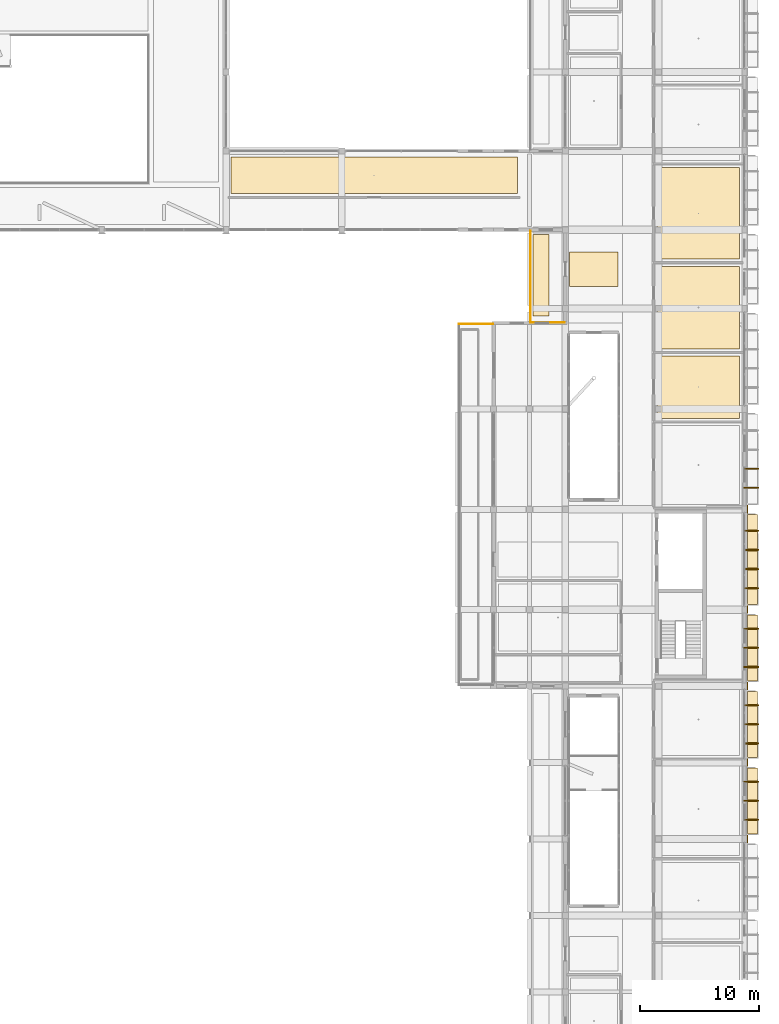
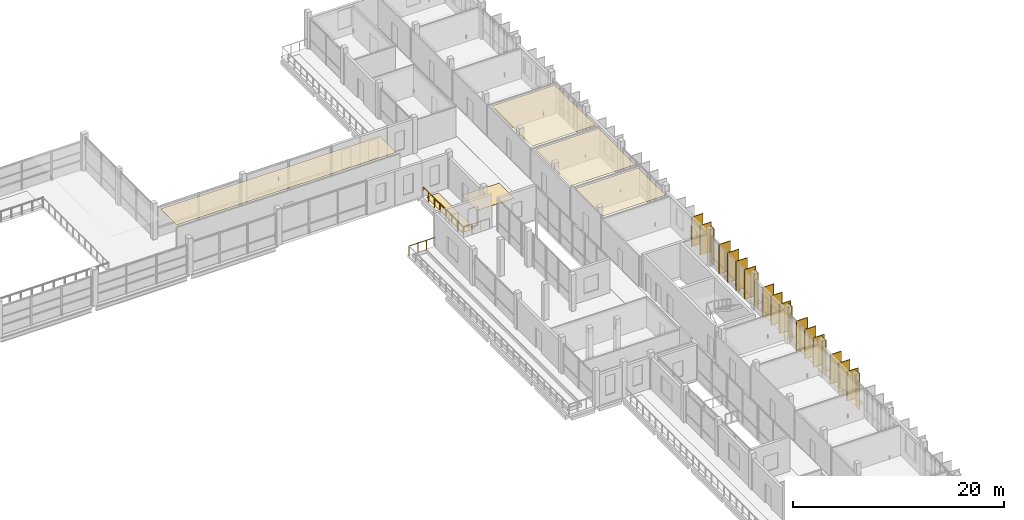
# One storey, part 84 of 85: 30 coverings, 15 shading devices, 3 railings.
"""IFC4 building model written with IfcOpenShell, lengths in metres."""

from ifc_helpers import new_model, si_unit, derived_unit, direction, frame, origin, origin_2d, place, context, subcontext, project, spatial, polyline, rectangle, circle, outline, extrude, material, layer, layer_set, type_object, element, save


model = new_model("IFC4")

# Units and contexts
model_context = context("Model", 3, precision=1e-05, world=origin(), true_north=direction((0.0, 1.0)))
body_context = subcontext(model_context, "Body", "Model", "MODEL_VIEW")
ifc_project = project(units=[si_unit("LENGTHUNIT", "METRE"), si_unit("AREAUNIT", "SQUARE_METRE"), si_unit("VOLUMEUNIT", "CUBIC_METRE"), si_unit("PLANEANGLEUNIT", "RADIAN"), si_unit("MASSUNIT", "GRAM", prefix="KILO"), derived_unit("THERMALTRANSMITTANCEUNIT", [(si_unit("POWERUNIT", "WATT"), 1), (si_unit("LENGTHUNIT", "METRE"), -2), (si_unit("THERMODYNAMICTEMPERATUREUNIT", "KELVIN"), -1)])], contexts=[model_context])

# Site, building, storey
site_placement = place(None, origin())
site = spatial("IfcSite", under=ifc_project, at=site_placement, CompositionType="ELEMENT")
building_placement = place(site_placement, origin())
building = spatial("IfcBuilding", under=site, at=building_placement, Name="Braskholm Square Health Centre", CompositionType="ELEMENT")
storey_placement = place(building_placement, frame((0.0, 0.0, 9.300048828125)))
storey = spatial("IfcBuildingStorey", under=building, at=storey_placement, Name="L03", CompositionType="ELEMENT", Elevation=9.300048828125)

# Coverings
ifc_material_1 = material(Name="Fire-rated gypsum board barrier")
ifc_layer_1 = layer(ifc_material_1, 0.02490234375)
ifc_layer_set_1 = layer_set([ifc_layer_1], Name="Fire-rated gypsum board barrier")
covering_type_1 = type_object("IfcCoveringType", Name="AcousticClinicalCeilingTile", PredefinedType="CEILING", material=ifc_layer_set_1)
covering_1_placement = place(storey_placement, frame((0.0, 0.0, 3.46484375)))
element("IfcCovering", 1, at=covering_1_placement, inside=storey, type_object=covering_type_1, Name="Acoustic ceiling L03-223", PredefinedType="CEILING", context=body_context, shape_type="SweptSolid", body=[
    extrude(outline(polyline([(156.5, 71.419921875), (163.3798828125, 71.419921875), (163.3798828125, 76.639892578125), (156.5, 76.639892578125), (156.5, 71.419921875)])), origin(), (0.0, 0.0, 1.0), 0.025146484375),
])
covering_2_placement = place(storey_placement, frame((0.0, 0.0, 3.46484375)))
element("IfcCovering", 2, at=covering_2_placement, inside=storey, type_object=covering_type_1, Name="Acoustic ceiling L03-224", PredefinedType="CEILING", context=body_context, shape_type="SweptSolid", body=[
    extrude(outline(polyline([(156.5, 77.239990234375), (163.3798828125, 77.239990234375), (163.3798828125, 84.139892578125), (156.5, 84.139892578125), (156.5, 77.239990234375)])), origin(), (0.0, 0.0, 1.0), 0.025146484375),
])
covering_3_placement = place(storey_placement, frame((0.0, 0.0, 3.46484375)))
element("IfcCovering", 3, at=covering_3_placement, inside=storey, type_object=covering_type_1, Name="Acoustic ceiling L03-225", PredefinedType="CEILING", context=body_context, shape_type="SweptSolid", body=[
    extrude(outline(polyline([(156.5, 84.739990234375), (163.3798828125, 84.739990234375), (163.3798828125, 92.409912109375), (156.5, 92.409912109375), (156.5, 84.739990234375)])), origin(), (0.0, 0.0, 1.0), 0.025146484375),
])
covering_4_placement = place(storey_placement, frame((0.0, 0.0, 3.534912109375)))
element("IfcCovering", 4, at=covering_4_placement, inside=storey, type_object=covering_type_1, Name="Acoustic ceiling L03-230", PredefinedType="CEILING", context=body_context, shape_type="SweptSolid", body=[
    extrude(outline(polyline([(120.820068359375, 90.219970703125), (144.780029296875, 90.219970703125), (144.780029296875, 93.280029296875), (120.820068359375, 93.280029296875), (120.820068359375, 90.219970703125)])), origin(), (0.0, 0.0, 1.0), 0.025146484375),
])

# Railings
ifc_material_2 = material(Name="Dark patinated chevron architectural bronze", Category="aluminium")
railing_type = type_object("IfcRailingType", Name="BronzeChevronGuardrail1100", PredefinedType="GUARDRAIL", material=ifc_material_2)
railing_1_placement = place(storey_placement, frame((139.89990234375, 79.300048828125, 0.0)))
element("IfcRailing", 5, at=railing_1_placement, inside=storey, type_object=railing_type, Name="Bronze chevron guardrail 0036 L03", PredefinedType="GUARDRAIL", context=body_context, shape_type="SweptSolid", body=[
    extrude(circle(Radius=0.02392578125, at=origin_2d()), frame((0.0, 0.0, 1.076171875), z_axis=(1.0, 0.0, 0.0), x_axis=(0.0, 1.0, 0.0)), (0.0, 0.0, 1.0), 2.85009765625),
    extrude(circle(Radius=0.02099609375, at=origin_2d()), origin(), (0.0, 0.0, 1.0), 1.052001953125),
    extrude(circle(Radius=0.02099609375, at=origin_2d()), frame((0.949951171875, 0.0, 0.0)), (0.0, 0.0, 1.0), 1.052001953125),
    extrude(circle(Radius=0.02099609375, at=origin_2d()), frame((1.900146484375, 0.0, 0.0)), (0.0, 0.0, 1.0), 1.052001953125),
    extrude(circle(Radius=0.02099609375, at=origin_2d()), frame((2.85009765625, 0.0, 0.0)), (0.0, 0.0, 1.0), 1.052001953125),
])
railing_2_placement = place(storey_placement, frame((148.75, 79.449951171875, 0.0)))
element("IfcRailing", 6, at=railing_2_placement, inside=storey, type_object=railing_type, Name="Bronze chevron guardrail 0037 L03", PredefinedType="GUARDRAIL", context=body_context, shape_type="SweptSolid", body=[
    extrude(circle(Radius=0.02392578125, at=origin_2d()), frame((0.0, 0.0, 1.076171875), z_axis=(-1.0, 0.0, 0.0), x_axis=(0.0, -1.0, 0.0)), (0.0, 0.0, 1.0), 2.85009765625),
    extrude(circle(Radius=0.02099609375, at=origin_2d()), origin(), (0.0, 0.0, 1.0), 1.052001953125),
    extrude(circle(Radius=0.02099609375, at=origin_2d()), frame((-0.949951171875, 0.0, 0.0)), (0.0, 0.0, 1.0), 1.052001953125),
    extrude(circle(Radius=0.02099609375, at=origin_2d()), frame((-1.900146484375, 0.0, 0.0)), (0.0, 0.0, 1.0), 1.052001953125),
    extrude(circle(Radius=0.02099609375, at=origin_2d()), frame((-2.85009765625, 0.0, 0.0)), (0.0, 0.0, 1.0), 1.052001953125),
])
railing_3_placement = place(storey_placement, frame((145.89990234375, 79.449951171875, 0.0)))
element("IfcRailing", 7, at=railing_3_placement, inside=storey, type_object=railing_type, Name="Bronze chevron guardrail 0038 L03", PredefinedType="GUARDRAIL", context=body_context, shape_type="SweptSolid", body=[
    extrude(circle(Radius=0.02392578125, at=origin_2d()), frame((0.0, 0.0, 1.076171875), z_axis=(0.0, 1.0, 0.0), x_axis=(-1.0, 0.0, 0.0)), (0.0, 0.0, 1.0), 7.650146484375),
    extrude(circle(Radius=0.02099609375, at=origin_2d()), origin(), (0.0, 0.0, 1.0), 1.052001953125),
    extrude(circle(Radius=0.02099609375, at=origin_2d()), frame((0.0, 1.0927734375, 0.0)), (0.0, 0.0, 1.0), 1.052001953125),
    extrude(circle(Radius=0.02099609375, at=origin_2d()), frame((0.0, 2.185791015625, 0.0)), (0.0, 0.0, 1.0), 1.052001953125),
    extrude(circle(Radius=0.02099609375, at=origin_2d()), frame((0.0, 3.278564453125, 0.0)), (0.0, 0.0, 1.0), 1.052001953125),
    extrude(circle(Radius=0.02099609375, at=origin_2d()), frame((0.0, 4.37158203125, 0.0)), (0.0, 0.0, 1.0), 1.052001953125),
    extrude(circle(Radius=0.02099609375, at=origin_2d()), frame((0.0, 5.46435546875, 0.0)), (0.0, 0.0, 1.0), 1.052001953125),
    extrude(circle(Radius=0.02099609375, at=origin_2d()), frame((0.0, 6.557373046875, 0.0)), (0.0, 0.0, 1.0), 1.052001953125),
    extrude(circle(Radius=0.02099609375, at=origin_2d()), frame((0.0, 7.650146484375, 0.0)), (0.0, 0.0, 1.0), 1.052001953125),
])

# Shading devices
ifc_material_3 = material(Name="Thermally modified western red cedar with bronze trim", Category="wood")
shading_device_type = type_object("IfcShadingDeviceType", Name="CedarBronzeShadingFin1250", PredefinedType="USERDEFINED", material=ifc_material_3)
for number, where, z_axis, x_axis, name in (
    (8, (164.364990234375, 37.800048828125, 0.0), (0.0, 0.0, 1.0), (1.0, 0.0, 0.0), "Warm cedar-bronze vertical shading slat 0271"),
    (9, (164.364990234375, 39.39990234375, 0.0), (0.0, 0.0, 1.0), (1.0, 0.0, 0.0), "Warm cedar-bronze vertical shading slat 0272"),
    (10, (164.364990234375, 41.0, 0.0), (0.0, 0.0, 1.0), (1.0, 0.0, 0.0), "Warm cedar-bronze vertical shading slat 0273"),
    (11, (164.364990234375, 44.199951171875, 0.0), (0.0, 0.0, 1.0), (1.0, 0.0, 0.0), "Warm cedar-bronze vertical shading slat 0274"),
    (12, (164.364990234375, 45.800048828125, 0.0), (0.0, 0.0, 1.0), (1.0, 0.0, 0.0), "Warm cedar-bronze vertical shading slat 0275"),
    (13, (164.364990234375, 47.39990234375, 0.0), (0.0, 0.0, 1.0), (1.0, 0.0, 0.0), "Warm cedar-bronze vertical shading slat 0276"),
    (14, (164.364990234375, 50.60009765625, 0.0), (0.0, 0.0, 1.0), (1.0, 0.0, 0.0), "Warm cedar-bronze vertical shading slat 0277"),
    (15, (164.364990234375, 52.199951171875, 0.0), (0.0, 0.0, 1.0), (1.0, 0.0, 0.0), "Warm cedar-bronze vertical shading slat 0278"),
    (16, (164.364990234375, 53.800048828125, 0.0), (0.0, 0.0, 1.0), (1.0, 0.0, 0.0), "Warm cedar-bronze vertical shading slat 0279"),
    (17, (164.364990234375, 57.199951171875, 0.0), (0.0, 0.0, 1.0), (1.0, 0.0, 0.0), "Warm cedar-bronze vertical shading slat 0280"),
    (18, (164.364990234375, 58.800048828125, 0.0), (0.0, 0.0, 1.0), (1.0, 0.0, 0.0), "Warm cedar-bronze vertical shading slat 0281"),
    (19, (164.364990234375, 60.39990234375, 0.0), (0.0, 0.0, 1.0), (1.0, 0.0, 0.0), "Warm cedar-bronze vertical shading slat 0282"),
    (20, (164.364990234375, 62.0, 0.0), (0.0, 0.0, 1.0), (1.0, 0.0, 0.0), "Warm cedar-bronze vertical shading slat 0283"),
    (21, (164.364990234375, 65.60009765625, 0.0), (0.0, 0.0, 1.0), (1.0, 0.0, 0.0), "Warm cedar-bronze vertical shading slat 0284"),
    (22, (164.364990234375, 67.199951171875, 0.0), (0.0, 0.0, 1.0), (1.0, 0.0, 0.0), "Warm cedar-bronze vertical shading slat 0285"),
):
    element("IfcShadingDevice", number, at=place(storey_placement, frame(where, z_axis=z_axis, x_axis=x_axis)), inside=storey, type_object=shading_device_type, Name=name, ObjectType="FIN", PredefinedType="USERDEFINED", context=body_context, shape_type="SweptSolid", body=[
        extrude(rectangle(XDim=1.25, YDim=0.0849609375, at=origin_2d()), origin(), (0.0, 0.0, 1.0), 3.39990234375),
    ])

# Coverings
ifc_layer_2 = layer(ifc_material_3, 0.0849609375)
ifc_layer_set_2 = layer_set([ifc_layer_2], Name="Thermally modified western red cedar with bronze trim")
covering_type_2 = type_object("IfcCoveringType", Name="CedarBronzeSlatCladding", PredefinedType="CLADDING", material=ifc_layer_set_2)
for number, where, z_axis, x_axis, name in (
    (23, (164.3701171875, 37.800048828125, 0.0), (0.0, 0.0, 1.0), (1.0, 0.0, 0.0), "Cedar-bronze shading slat trim 0767"),
    (24, (164.3701171875, 39.39990234375, 0.0), (0.0, 0.0, 1.0), (1.0, 0.0, 0.0), "Cedar-bronze shading slat trim 0768"),
    (25, (164.3701171875, 41.0, 0.0), (0.0, 0.0, 1.0), (1.0, 0.0, 0.0), "Cedar-bronze shading slat trim 0769"),
    (26, (164.3701171875, 44.199951171875, 0.0), (0.0, 0.0, 1.0), (1.0, 0.0, 0.0), "Cedar-bronze shading slat trim 0771"),
    (27, (164.3701171875, 45.800048828125, 0.0), (0.0, 0.0, 1.0), (1.0, 0.0, 0.0), "Cedar-bronze shading slat trim 0772"),
    (28, (164.3701171875, 47.39990234375, 0.0), (0.0, 0.0, 1.0), (1.0, 0.0, 0.0), "Cedar-bronze shading slat trim 0773"),
    (29, (164.3701171875, 50.60009765625, 0.0), (0.0, 0.0, 1.0), (1.0, 0.0, 0.0), "Cedar-bronze shading slat trim 0775"),
    (30, (164.3701171875, 52.199951171875, 0.0), (0.0, 0.0, 1.0), (1.0, 0.0, 0.0), "Cedar-bronze shading slat trim 0776"),
    (31, (164.3701171875, 53.800048828125, 0.0), (0.0, 0.0, 1.0), (1.0, 0.0, 0.0), "Cedar-bronze shading slat trim 0777"),
    (32, (164.3701171875, 57.199951171875, 0.0), (0.0, 0.0, 1.0), (1.0, 0.0, 0.0), "Cedar-bronze shading slat trim 0779"),
    (33, (164.3701171875, 58.800048828125, 0.0), (0.0, 0.0, 1.0), (1.0, 0.0, 0.0), "Cedar-bronze shading slat trim 0780"),
    (34, (164.3701171875, 60.39990234375, 0.0), (0.0, 0.0, 1.0), (1.0, 0.0, 0.0), "Cedar-bronze shading slat trim 0781"),
    (35, (164.3701171875, 62.0, 0.0), (0.0, 0.0, 1.0), (1.0, 0.0, 0.0), "Cedar-bronze shading slat trim 0782"),
    (36, (164.3701171875, 65.60009765625, 0.0), (0.0, 0.0, 1.0), (1.0, 0.0, 0.0), "Cedar-bronze shading slat trim 0784"),
    (37, (164.3701171875, 67.199951171875, 0.0), (0.0, 0.0, 1.0), (1.0, 0.0, 0.0), "Cedar-bronze shading slat trim 0785"),
):
    element("IfcCovering", number, at=place(storey_placement, frame(where, z_axis=z_axis, x_axis=x_axis)), inside=storey, type_object=covering_type_2, Name=name, PredefinedType="CLADDING", context=body_context, shape_type="SweptSolid", body=[
        extrude(rectangle(XDim=1.179931640625, YDim=0.094970703125, at=origin_2d()), origin(), (0.0, 0.0, 1.0), 3.39990234375),
    ])
ifc_material_4 = material(Name="Intensive botanical sedum and native prairie garden bed")
ifc_layer_3 = layer(ifc_material_4, 0.02490234375)
ifc_layer_set_3 = layer_set([ifc_layer_3], Name="Intensive botanical sedum and native prairie garden bed")
covering_type_3 = type_object("IfcCoveringType", Name="PlantedTerraceGardenBed", PredefinedType="ROOFING", material=ifc_layer_set_3)
covering_5_placement = place(storey_placement, origin())
element("IfcCovering", 38, at=covering_5_placement, inside=storey, type_object=covering_type_3, Name="East floor planter ledge sedum strip 0770", PredefinedType="ROOFING", context=body_context, shape_type="SweptSolid", body=[
    extrude(outline(polyline([(164.050048828125, 36.639892578125), (164.8798828125, 36.639892578125), (164.8798828125, 42.159912109375), (164.050048828125, 42.159912109375), (164.050048828125, 36.639892578125)])), origin(), (0.0, 0.0, 1.0), 0.02490234375),
])
covering_6_placement = place(storey_placement, origin())
element("IfcCovering", 39, at=covering_6_placement, inside=storey, type_object=covering_type_3, Name="East floor planter ledge sedum strip 0774", PredefinedType="ROOFING", context=body_context, shape_type="SweptSolid", body=[
    extrude(outline(polyline([(164.050048828125, 43.0400390625), (164.8798828125, 43.0400390625), (164.8798828125, 48.56005859375), (164.050048828125, 48.56005859375), (164.050048828125, 43.0400390625)])), origin(), (0.0, 0.0, 1.0), 0.02490234375),
])
covering_7_placement = place(storey_placement, origin())
element("IfcCovering", 40, at=covering_7_placement, inside=storey, type_object=covering_type_3, Name="East floor planter ledge sedum strip 0778", PredefinedType="ROOFING", context=body_context, shape_type="SweptSolid", body=[
    extrude(outline(polyline([(164.050048828125, 49.43994140625), (164.8798828125, 49.43994140625), (164.8798828125, 54.9599609375), (164.050048828125, 54.9599609375), (164.050048828125, 49.43994140625)])), origin(), (0.0, 0.0, 1.0), 0.02490234375),
])
covering_8_placement = place(storey_placement, origin())
element("IfcCovering", 41, at=covering_8_placement, inside=storey, type_object=covering_type_3, Name="East floor planter ledge sedum strip 0783", PredefinedType="ROOFING", context=body_context, shape_type="SweptSolid", body=[
    extrude(outline(polyline([(164.050048828125, 55.840087890625), (164.8798828125, 55.840087890625), (164.8798828125, 63.360107421875), (164.050048828125, 63.360107421875), (164.050048828125, 55.840087890625)])), origin(), (0.0, 0.0, 1.0), 0.02490234375),
])
covering_9_placement = place(storey_placement, origin())
element("IfcCovering", 42, at=covering_9_placement, inside=storey, type_object=covering_type_3, Name="Planted therapy terrace garden bed 0914", PredefinedType="ROOFING", context=body_context, shape_type="SweptSolid", body=[
    extrude(outline(polyline([(146.10009765625, 80.0), (147.449951171875, 80.0), (147.449951171875, 86.800048828125), (146.10009765625, 86.800048828125), (146.10009765625, 80.0)])), origin(), (0.0, 0.0, 1.0), 0.02490234375),
])
ifc_material_5 = material(Name="Polished geometric terrazzo flooring", Category="masonry")
ifc_layer_4 = layer(ifc_material_5, 0.02001953125)
ifc_layer_set_4 = layer_set([ifc_layer_4], Name="Polished geometric terrazzo flooring")
covering_type_4 = type_object("IfcCoveringType", Name="PolishedTerrazzoFloorFinish", PredefinedType="FLOORING", material=ifc_layer_set_4)
covering_10_placement = place(storey_placement, origin())
element("IfcCovering", 43, at=covering_10_placement, inside=storey, type_object=covering_type_4, Name="Polished terrazzo floor L03-233", PredefinedType="FLOORING", context=body_context, shape_type="SweptSolid", body=[
    extrude(outline(polyline([(149.169921875, 82.449951171875), (153.219970703125, 82.449951171875), (153.219970703125, 85.35009765625), (149.169921875, 85.35009765625), (149.169921875, 82.449951171875)])), origin(), (0.0, 0.0, 1.0), 0.02001953125),
])
ifc_material_6 = material(Name="Precast concrete C40/50 architectural white", Category="concrete")
ifc_layer_5 = layer(ifc_material_6, 0.054931640625)
ifc_layer_set_5 = layer_set([ifc_layer_5], Name="Precast concrete C40/50 architectural white")
covering_type_5 = type_object("IfcCoveringType", Name="PrecastWhiteColumnCasing", PredefinedType="CLADDING", material=ifc_layer_set_5)
for number, where, z_axis, x_axis, name in (
    (44, (164.054931640625, 36.199951171875, 0.0), (0.0, 0.0, 1.0), (1.0, 0.0, 0.0), "Giant-order white precast column casing 0286"),
    (45, (164.054931640625, 42.60009765625, 0.0), (0.0, 0.0, 1.0), (1.0, 0.0, 0.0), "Giant-order white precast column casing 0294"),
    (46, (164.054931640625, 49.0, 0.0), (0.0, 0.0, 1.0), (1.0, 0.0, 0.0), "Giant-order white precast column casing 0302"),
    (47, (164.054931640625, 55.39990234375, 0.0), (0.0, 0.0, 1.0), (1.0, 0.0, 0.0), "Giant-order white precast column casing 0310"),
    (48, (164.054931640625, 63.800048828125, 0.0), (0.0, 0.0, 1.0), (1.0, 0.0, 0.0), "Giant-order white precast column casing 0318"),
):
    element("IfcCovering", number, at=place(storey_placement, frame(where, z_axis=z_axis, x_axis=x_axis)), inside=storey, type_object=covering_type_5, Name=name, PredefinedType="CLADDING", context=body_context, shape_type="SweptSolid", body=[
        extrude(rectangle(XDim=0.06005859375, YDim=0.639892578125, at=origin_2d()), origin(), (0.0, 0.0, 1.0), 4.199951171875),
    ])

save(model, "model.ifc")
